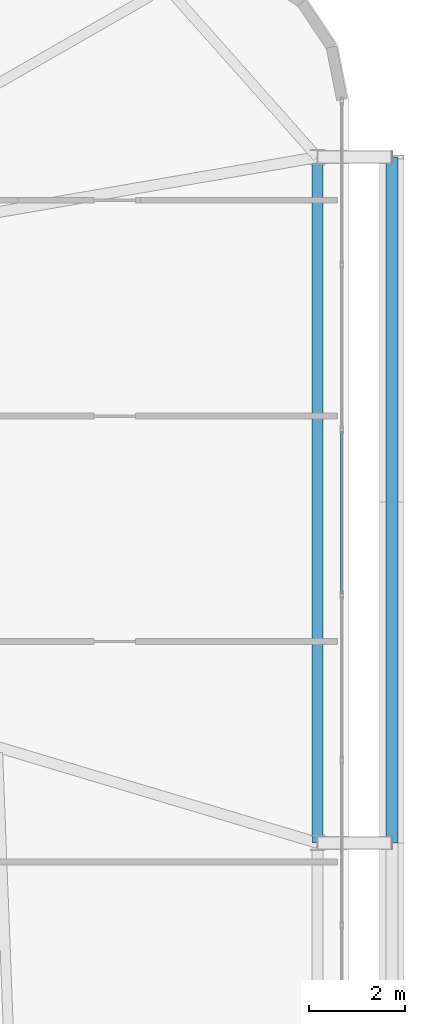
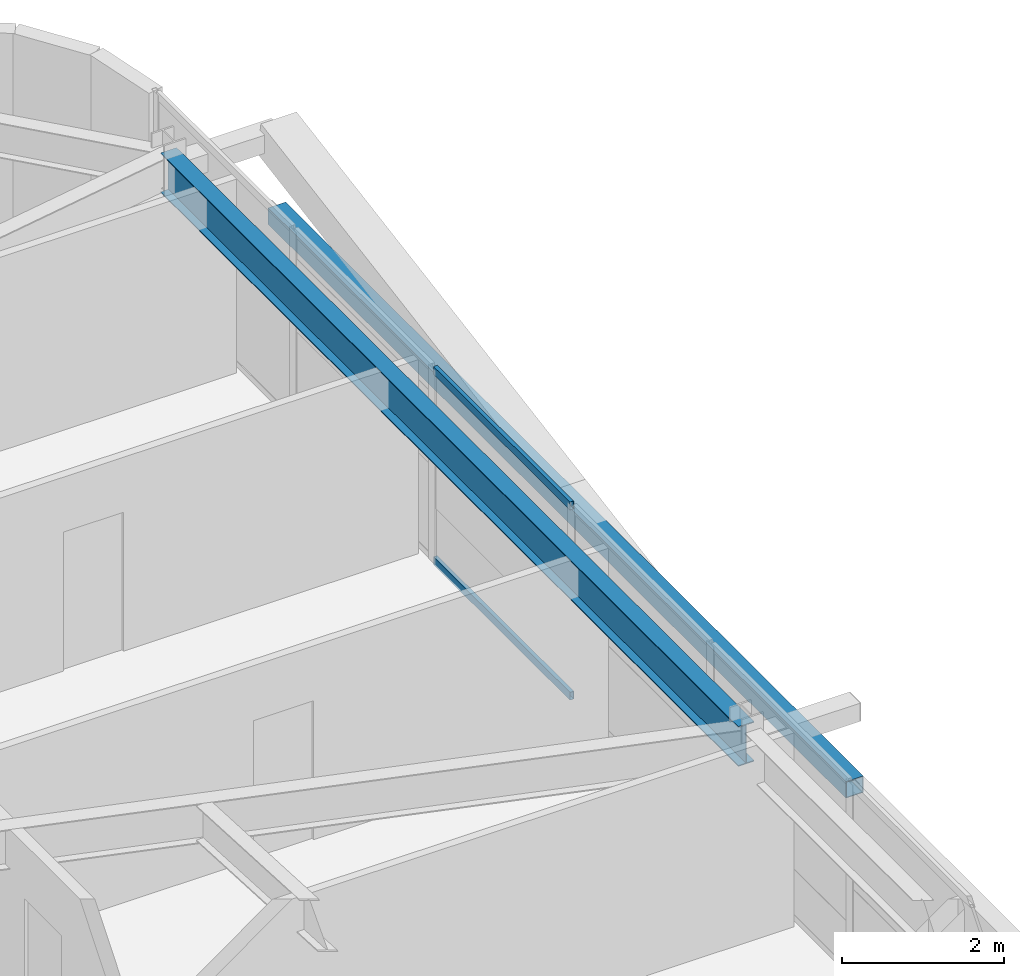
# One storey, part 31 of 59: 3 members, 1 beam, 1 element without a shape of its own.
"""IFC4 building model written with IfcOpenShell, lengths in metres."""

from ifc_helpers import new_model, si_unit, direction, frame, origin, origin_2d, place, context, subcontext, project, spatial, hollow_rectangle, i_section, extrude, source, transform, mapped, material, layer, layer_set, material_profile, profile_set, type_object, element, aggregate, save


model = new_model("IFC4")

# Units and contexts
model_context = context("Model", 3, precision=1e-05, world=origin(), true_north=direction((0.0, 1.0)))
body_context = subcontext(model_context, "Body", "Model", "MODEL_VIEW")
ifc_project = project(units=[si_unit("LENGTHUNIT", "METRE"), si_unit("AREAUNIT", "SQUARE_METRE"), si_unit("VOLUMEUNIT", "CUBIC_METRE"), si_unit("PLANEANGLEUNIT", "RADIAN"), si_unit("MASSUNIT", "GRAM", prefix="KILO")], contexts=[model_context])

# Site, building, storey
site_placement = place(None, origin())
site = spatial("IfcSite", under=ifc_project, at=site_placement, CompositionType="ELEMENT")
building_placement = place(site_placement, origin())
building = spatial("IfcBuilding", under=site, at=building_placement, Name="Taldren Reach Tower", CompositionType="ELEMENT")
storey_placement = place(building_placement, frame((0.0, 0.0, 19.949951171875)))
storey = spatial("IfcBuildingStorey", under=building, at=storey_placement, Name="L05", CompositionType="ELEMENT", Elevation=19.949951171875)

# Beam
ifc_material_1 = material(Name="Steel Gr 350 (350PLUS)", Category="steel")
ifc_material_profile_1 = material_profile(ifc_material_1, i_section(OverallWidth=0.22802734375, OverallDepth=0.60205078125, WebThickness=0.010498046875, FlangeThickness=0.014892578125, at=origin_2d()), Name="610UB101")
ifc_profile_set_1 = profile_set([ifc_material_profile_1], Name="Steel Gr 350 (350PLUS)")
beam_type = type_object("IfcBeamType", Name="BM-UB610B", PredefinedType="BEAM", material=ifc_profile_set_1)
shared_shape_1 = source(origin(), body_context, "Body", "SweptSolid", [
    extrude(i_section(OverallWidth=0.22802734375, OverallDepth=0.60205078125, WebThickness=0.010498046875, FlangeThickness=0.014892578125, at=origin_2d()), origin(), (0.0, 0.0, 1.0), 14.300048828125),
])
beam_placement = place(storey_placement, frame((64.35009765625, 20.0, 2.629150390625), z_axis=(0.0, 1.0, 0.0), x_axis=(-1.0, 0.0, 0.0)))
element("IfcBeam", 1, at=beam_placement, inside=storey, type_object=beam_type, Name="Perimeter gable girder B1 E2-E3 L05", PredefinedType="BEAM", context=body_context, shape_type="MappedRepresentation", body=[
    mapped(shared_shape_1, transform((0.0, 0.0, 0.0), scale=1.0)),
])

# Member
ifc_material_2 = material(Name="Steel Gr 350 (C350L0)", Category="steel")
ifc_material_profile_2 = material_profile(ifc_material_2, hollow_rectangle(XDim=0.25, YDim=0.25, WallThickness=0.010009765625, at=origin_2d()), Name="250x250x10.0SHS")
ifc_profile_set_2 = profile_set([ifc_material_profile_2], Name="Steel Gr 350 (C350L0)")
member_type_1 = type_object("IfcMemberType", Name="MB-POST250", PredefinedType="POST", material=ifc_profile_set_2)
shared_shape_2 = source(origin(), body_context, "Body", "SweptSolid", [
    extrude(hollow_rectangle(XDim=0.25, YDim=0.25, WallThickness=0.010009765625, at=origin_2d()), origin(), (0.0, 0.0, 1.0), 14.300048828125),
])
member_1_placement = place(storey_placement, frame((65.89990234375, 20.0, 1.43505859375), z_axis=(0.0, 1.0, 0.0), x_axis=(-1.0, 0.0, 0.0)))
element("IfcMember", 2, at=member_1_placement, inside=storey, type_object=member_type_1, Name="Exoskeleton mid-height ring chord B1-E2 L05", PredefinedType="POST", context=body_context, shape_type="MappedRepresentation", body=[
    mapped(shared_shape_2, transform((0.0, 0.0, 0.0), scale=1.0)),
])

# Curtain wall, members
ifc_material_3 = material(Name="Aluminium and Low-E Glass Unitised System", Category="aluminium")
ifc_layer = layer(ifc_material_3, 0.159912109375)
ifc_layer_set = layer_set([ifc_layer], Name="Aluminium and Low-E Glass Unitised System")
curtain_wall_type = type_object("IfcCurtainWallType", Name="CW-SYS-2", PredefinedType="NOTDEFINED", material=ifc_layer_set)
curtain_wall_placement = place(storey_placement, origin())
curtain_wall = element("IfcCurtainWall", 3, at=curtain_wall_placement, inside=storey, type_object=curtain_wall_type, Name="Unitised curtain wall CW-L05-E", PredefinedType="NOTDEFINED")
ifc_material_4 = material(Name="Anodised Aluminium 6063-T6", Category="aluminium")
ifc_material_profile_3 = material_profile(ifc_material_4, hollow_rectangle(XDim=0.054931640625, YDim=0.1201171875, WallThickness=0.0029296875, at=origin_2d()), Name="ALU-120x55x3RHS")
ifc_profile_set_3 = profile_set([ifc_material_profile_3], Name="Anodised Aluminium 6063-T6")
member_type_2 = type_object("IfcMemberType", Name="CW-TRN-135", PredefinedType="USERDEFINED", material=ifc_profile_set_3)
shared_shape_3 = source(origin(), body_context, "Body", "SweptSolid", [
    extrude(hollow_rectangle(XDim=0.054931640625, YDim=0.1201171875, WallThickness=0.0029296875, at=origin_2d()), origin(), (0.0, 0.0, 1.0), 3.37939453125),
])
member_2_placement = place(storey_placement, frame((64.860107421875, 25.19921875, 0.027587890625), z_axis=(0.0, 1.0, 0.0), x_axis=(-1.0, 0.0, 0.0)))
member_2 = element("IfcMember", 4, at=member_2_placement, type_object=member_type_2, Name="CW-2 transom 7.1", ObjectType="TRANSOM", PredefinedType="USERDEFINED", context=body_context, shape_type="MappedRepresentation", body=[
    mapped(shared_shape_3, transform((0.0, 0.0, 0.0), scale=1.0)),
])
member_3_placement = place(storey_placement, frame((64.860107421875, 25.19921875, 2.902587890625), z_axis=(0.0, 1.0, 0.0), x_axis=(-1.0, 0.0, 0.0)))
member_3 = element("IfcMember", 5, at=member_3_placement, type_object=member_type_2, Name="CW-2 transom 7.2", ObjectType="TRANSOM", PredefinedType="USERDEFINED", context=body_context, shape_type="MappedRepresentation", body=[
    mapped(shared_shape_3, transform((0.0, 0.0, 0.0), scale=1.0)),
])
aggregate(curtain_wall, [member_2, member_3])

save(model, "model.ifc")
